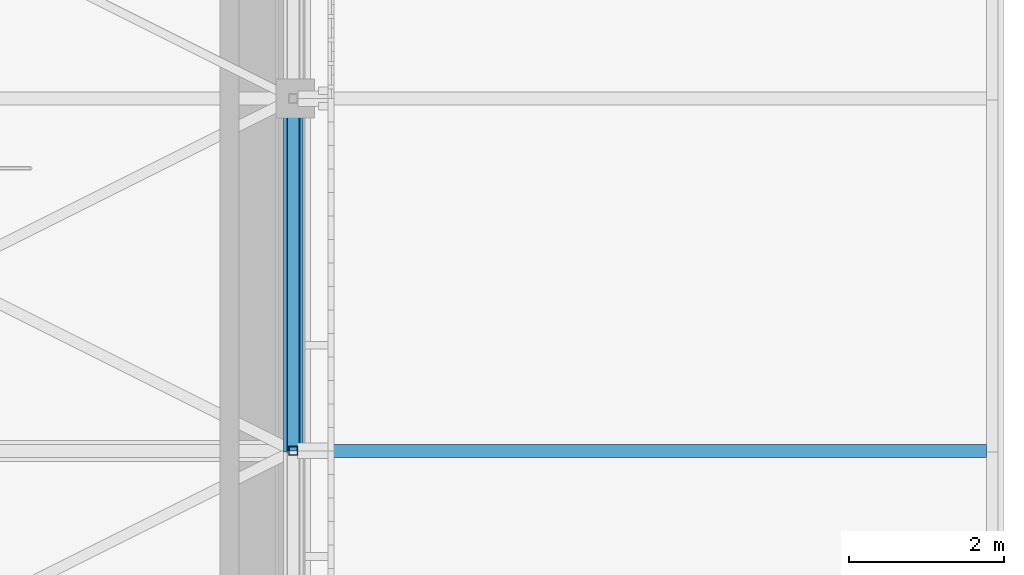
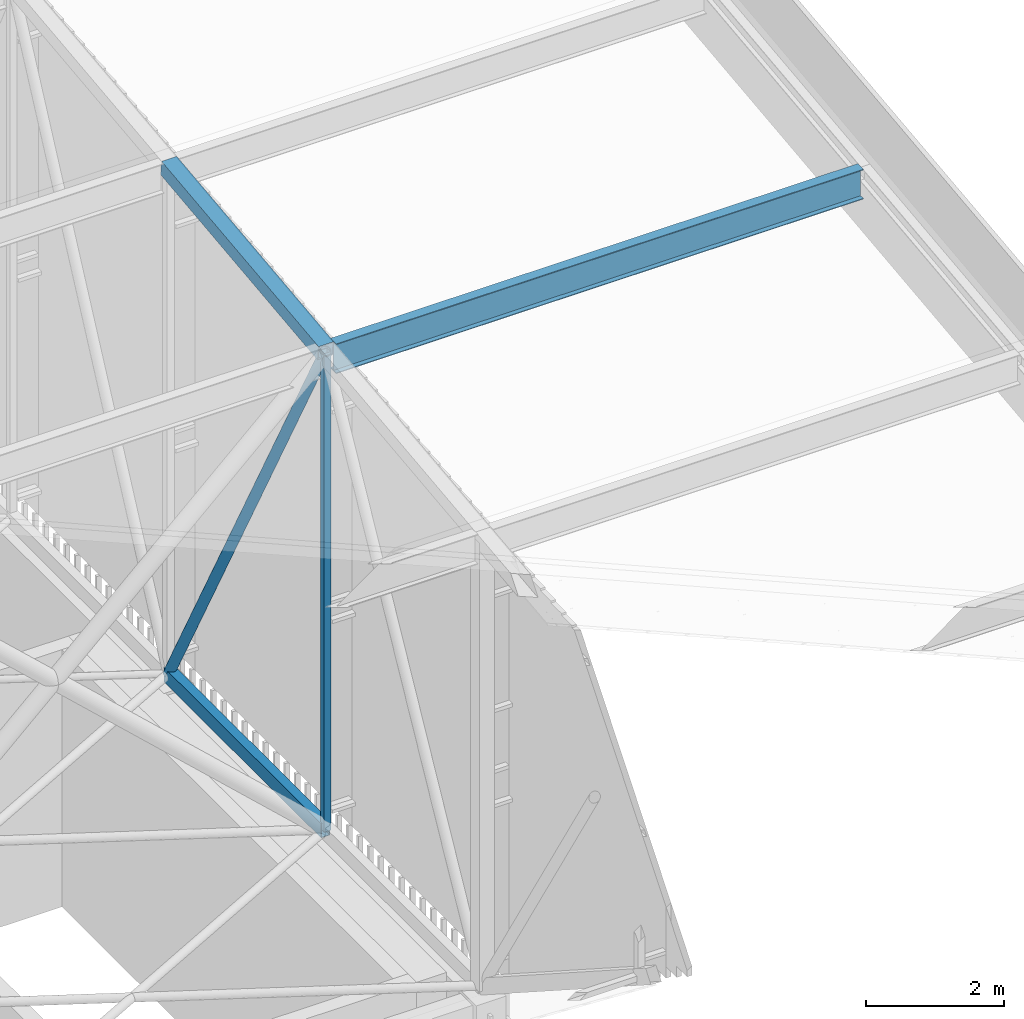
# One storey, part 335 of 500: 5 members.
"""IFC4 building model written with IfcOpenShell, lengths in metres."""

from ifc_helpers import new_model, si_unit, direction, frame, origin, origin_2d, place, context, subcontext, project, spatial, hollow_rectangle, hollow_circle, i_section, extrude, material, material_profile, profile_set, type_object, element, save


model = new_model("IFC4")

# Units and contexts
model_context = context("Model", 3, precision=1e-05, world=origin(), true_north=direction((0.0, 1.0)))
body_context = subcontext(model_context, "Body", "Model", "MODEL_VIEW")
ifc_project = project(units=[si_unit("LENGTHUNIT", "METRE"), si_unit("AREAUNIT", "SQUARE_METRE"), si_unit("VOLUMEUNIT", "CUBIC_METRE"), si_unit("PLANEANGLEUNIT", "RADIAN"), si_unit("MASSUNIT", "GRAM", prefix="KILO")], contexts=[model_context])

# Site, building, storey
site_placement = place(None, origin())
site = spatial("IfcSite", under=ifc_project, at=site_placement, CompositionType="ELEMENT")
building_placement = place(site_placement, origin())
building = spatial("IfcBuilding", under=site, at=building_placement, Name="Shirokan Park Arena", CompositionType="ELEMENT")
storey_placement = place(building_placement, frame((0.0, 0.0, 29.1201171875)))
storey = spatial("IfcBuildingStorey", under=building, at=storey_placement, Name="L06", CompositionType="ELEMENT", Elevation=29.1201171875)

# Members
ifc_material_1 = material(Name="Steel ASTM A500 Grade C", Category="steel")
ifc_material_profile_1 = material_profile(ifc_material_1, hollow_rectangle(XDim=0.152099609375, YDim=0.25390625, WallThickness=0.009521484375, at=origin_2d()), Name="HSS254X152.4X9.5")
ifc_profile_set_1 = profile_set([ifc_material_profile_1], Name="Steel ASTM A500 Grade C")
member_type_1 = type_object("IfcMemberType", Name="Bottom chord HSS254X152.4X9.5", PredefinedType="CHORD", material=ifc_profile_set_1)
member_1_placement = place(storey_placement, frame((145.60009765625, 4.550048828125, 4.677001953125), z_axis=(0.0, 1.0, 0.0), x_axis=(-1.0, 0.0, 0.0)))
element("IfcMember", 1, at=member_1_placement, inside=storey, type_object=member_type_1, Name="Truss T17 bottom chord 4", PredefinedType="CHORD", context=body_context, shape_type="SweptSolid", body=[
    extrude(hollow_rectangle(XDim=0.152099609375, YDim=0.25390625, WallThickness=0.009521484375, at=origin_2d()), origin(), (0.0, 0.0, 1.0), 4.550048828125),
])
ifc_material_2 = material(Name="Steel ASTM A992", Category="steel")
ifc_material_profile_2 = material_profile(ifc_material_2, i_section(OverallWidth=0.166015625, OverallDepth=0.528076171875, WebThickness=0.009765625, FlangeThickness=0.013671875, at=origin_2d()), Name="W530X74")
ifc_profile_set_2 = profile_set([ifc_material_profile_2], Name="Steel ASTM A992")
member_type_2 = type_object("IfcMemberType", Name="Purlin W530X74", PredefinedType="PURLIN", material=ifc_profile_set_2)
member_2_placement = place(storey_placement, frame((145.72705078125, 4.550048828125, 13.005859375), z_axis=(1.0, 0.0, 0.0), x_axis=(0.0, 1.0, 0.0)))
element("IfcMember", 2, at=member_2_placement, inside=storey, type_object=member_type_2, Name="Eave purlin east 4", PredefinedType="PURLIN", context=body_context, shape_type="SweptSolid", body=[
    extrude(i_section(OverallWidth=0.166015625, OverallDepth=0.528076171875, WebThickness=0.009765625, FlangeThickness=0.013671875, at=origin_2d()), origin(), (0.0, 0.0, 1.0), 8.824951171875),
])
ifc_material_profile_3 = material_profile(ifc_material_1, hollow_rectangle(XDim=0.25390625, YDim=0.25390625, WallThickness=0.009521484375, at=origin_2d()), Name="HSS254X254X9.5")
ifc_profile_set_3 = profile_set([ifc_material_profile_3], Name="Steel ASTM A500 Grade C")
member_type_3 = type_object("IfcMemberType", Name="Top chord HSS254X254X9.5", PredefinedType="CHORD", material=ifc_profile_set_3)
member_3_placement = place(storey_placement, frame((145.60009765625, 4.550048828125, 13.142822265625), z_axis=(0.0, 0.993532328996, 0.113549598152), x_axis=(-1.0, 0.0, 0.0)))
element("IfcMember", 3, at=member_3_placement, inside=storey, type_object=member_type_3, Name="Truss T17 top chord 4", PredefinedType="CHORD", context=body_context, shape_type="SweptSolid", body=[
    extrude(hollow_rectangle(XDim=0.25390625, YDim=0.25390625, WallThickness=0.009521484375, at=origin_2d()), origin(), (0.0, 0.0, 1.0), 4.57958984375),
])
ifc_material_profile_4 = material_profile(ifc_material_1, hollow_circle(Radius=0.083984375, WallThickness=0.009521484375, at=origin_2d()), Name="HSS168.3X9.5")
ifc_profile_set_4 = profile_set([ifc_material_profile_4], Name="Steel ASTM A500 Grade C")
member_type_4 = type_object("IfcMemberType", Name="Truss diagonal HSS168.3X9.5", PredefinedType="BRACE", material=ifc_profile_set_4)
member_4_placement = place(storey_placement, frame((145.60009765625, 4.550048828125, 13.142822265625), z_axis=(0.0, 0.473416507165, -0.880838697347), x_axis=(-1.0, 0.0, 0.0)))
element("IfcMember", 4, at=member_4_placement, inside=storey, type_object=member_type_4, Name="Truss T17 diagonal 4", PredefinedType="BRACE", context=body_context, shape_type="SweptSolid", body=[
    extrude(hollow_circle(Radius=0.083984375, WallThickness=0.009521484375, at=origin_2d()), origin(), (0.0, 0.0, 1.0), 9.611083984375),
])
ifc_material_profile_5 = material_profile(ifc_material_1, hollow_rectangle(XDim=0.114013671875, YDim=0.114013671875, WallThickness=0.00634765625, at=origin_2d()), Name="HSS114.3X114.3X6.4")
ifc_profile_set_5 = profile_set([ifc_material_profile_5], Name="Steel ASTM A500 Grade C")
member_type_5 = type_object("IfcMemberType", Name="Truss post HSS114.3X114.3X6.4", PredefinedType="POST", material=ifc_profile_set_5)
member_5_placement = place(storey_placement, frame((145.60009765625, 4.550048828125, 4.677001953125), z_axis=(0.0, 0.0, 1.0), x_axis=(1.0, 0.0, 0.0)))
element("IfcMember", 5, at=member_5_placement, inside=storey, type_object=member_type_5, Name="Truss T17 post 4", PredefinedType="POST", context=body_context, shape_type="SweptSolid", body=[
    extrude(hollow_rectangle(XDim=0.114013671875, YDim=0.114013671875, WallThickness=0.00634765625, at=origin_2d()), origin(), (0.0, 0.0, 1.0), 8.4658203125),
])

save(model, "model.ifc")
